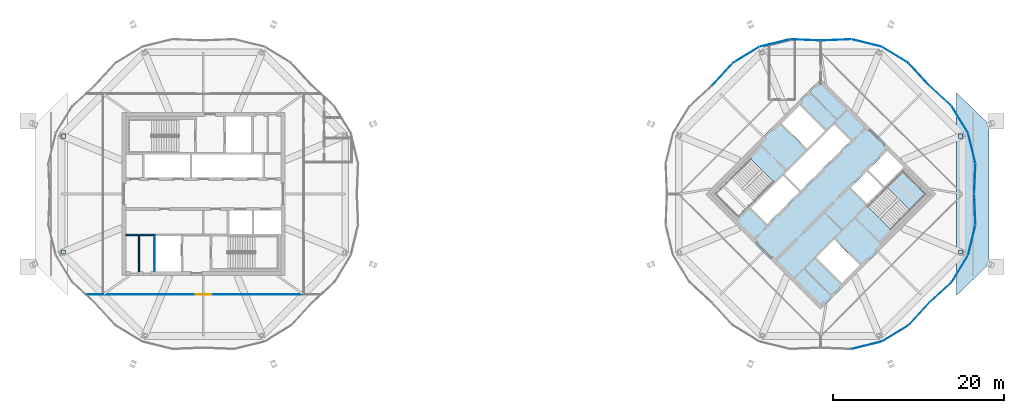
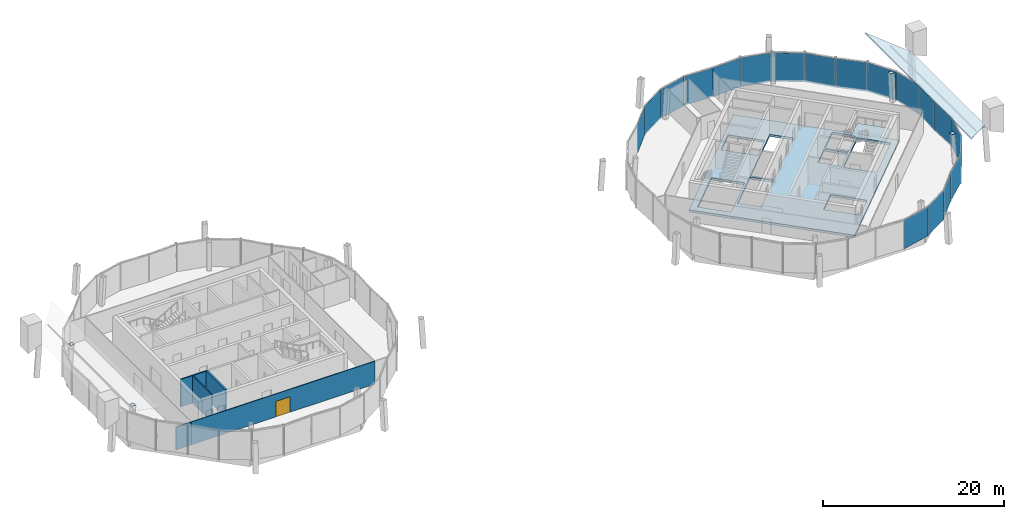
# One storey, part 15 of 22: 24 plates, 5 walls, 2 slabs, 1 door, 1 opening, 7 elements without a shape of their own.
"""IFC4 building model written with IfcOpenShell, lengths in metres."""

import ifcopenshell
import ifcopenshell.guid

model = None  # the IFC model being written
_history = None  # IfcOwnerHistory: only IFC2X3 demands one
_inside = {}  # id of a spatial element -> (the spatial element, [elements in it])
_under = {}  # id of a project, library or spatial element -> (it, [spatial elements below it])
_declared = {}  # id of a project -> (the project, [libraries it declares])
_typed = {}  # id of a type object -> (the type object, [elements of that type])
_made_of = {}  # id of a material, layer set ... -> (it, [elements and type objects made of it])


def new_model(schema):
    """Start an empty IFC model of exactly this schema.

    Asked for "IFC4X3", IfcOpenShell would pick the latest addendum, in which some entities
    have other attributes; the version numbers below select the first issue.
    IFC2X3 requires an IfcOwnerHistory on every rooted entity: one is made here for all.
    """
    global model, _history
    if schema == "IFC4X3":
        model = ifcopenshell.file(schema_version=(4, 3, 0, 0))
    else:
        model = ifcopenshell.file(schema=schema)
    _inside.clear()
    _under.clear()
    _declared.clear()
    _typed.clear()
    _made_of.clear()
    _history = None
    if model.schema == "IFC2X3":
        org = make("IfcOrganization", Name="unknown")
        user = make(
            "IfcPersonAndOrganization",
            ThePerson=make("IfcPerson", FamilyName="unknown"),
            TheOrganization=org,
        )
        app = make(
            "IfcApplication",
            ApplicationDeveloper=org,
            Version="unknown",
            ApplicationFullName="unknown",
            ApplicationIdentifier="unknown",
        )
        _history = make(
            "IfcOwnerHistory",
            OwningUser=user,
            OwningApplication=app,
            ChangeAction="ADDED",
            CreationDate=0,
        )
    return model


def make(cls, **values):
    """One entity of the class cls with the attributes given. An attribute that is None is left unset."""
    return model.create_entity(
        cls, **{name: value for name, value in values.items() if value is not None}
    )


def rooted(cls, **values):
    """An entity with a GlobalId (a new one), such as an element, a storey or a relation."""
    return make(cls, GlobalId=ifcopenshell.guid.new(), OwnerHistory=_history, **values)


def si_unit(unit_type, name, prefix=None):
    """IfcSIUnit, for example si_unit("LENGTHUNIT", "METRE", prefix="MILLI")."""
    return make("IfcSIUnit", UnitType=unit_type, Prefix=prefix, Name=name)


def assignment(units):
    """IfcUnitAssignment: the units of a project."""
    return None if units is None else make("IfcUnitAssignment", Units=units)


def point(xyz):
    """IfcCartesianPoint."""
    return None if xyz is None else make("IfcCartesianPoint", Coordinates=xyz)


def direction(xyz):
    """IfcDirection."""
    return None if xyz is None else make("IfcDirection", DirectionRatios=xyz)


def frame(location, z_axis=None, x_axis=None):
    """IfcAxis2Placement3D, a coordinate frame: its origin and axes. An axis left out is left unset."""
    return make(
        "IfcAxis2Placement3D",
        Location=point(location),
        Axis=direction(z_axis),
        RefDirection=direction(x_axis),
    )


def frame_2d(location, x_axis=None):
    """IfcAxis2Placement2D, a coordinate frame in the plane: its origin and x axis."""
    return make(
        "IfcAxis2Placement2D", Location=point(location), RefDirection=direction(x_axis)
    )


def origin():
    """The frame at (0, 0, 0) with its axes left unset."""
    return frame((0.0, 0.0, 0.0))


def origin_2d():
    """The frame at (0, 0) in the plane with its x axis left unset."""
    return frame_2d((0.0, 0.0))


def place(relative_to, where):
    """IfcLocalPlacement: puts the frame where relative to a parent placement (None: the world)."""
    return make(
        "IfcLocalPlacement", PlacementRelTo=relative_to, RelativePlacement=where
    )


def context(
    kind, dimensions, precision=None, world=None, true_north=None, identifier=None
):
    """IfcGeometricRepresentationContext, for example the 3D "Model" context."""
    return make(
        "IfcGeometricRepresentationContext",
        ContextIdentifier=identifier,
        ContextType=kind,
        CoordinateSpaceDimension=dimensions,
        Precision=precision,
        WorldCoordinateSystem=world,
        TrueNorth=true_north,
    )


def subcontext(parent, identifier, kind, view, scale=None):
    """IfcGeometricRepresentationSubContext, for example "Body" below "Model"."""
    return make(
        "IfcGeometricRepresentationSubContext",
        ContextIdentifier=identifier,
        ContextType=kind,
        ParentContext=parent,
        TargetScale=scale,
        TargetView=view,
    )


def project(units=None, contexts=None):
    """IfcProject with its units and contexts."""
    return rooted(
        "IfcProject",
        Name="project",
        RepresentationContexts=contexts,
        UnitsInContext=assignment(units),
    )


def spatial(cls, under=None, at=None, **own):
    """A site, building, storey or space (cls), placed at a placement, below another one or the project."""
    s = rooted(cls, ObjectPlacement=at, **own)
    if under is not None:
        _under.setdefault(under.id(), (under, []))[1].append(s)
    return s


def polyline(points):
    """IfcPolyline through the points."""
    return make("IfcPolyline", Points=[point(p) for p in points])


def profile(cls, at=None, kind="AREA", **sizes):
    """A parametric profile (cls). Its sizes go by their IFC names, for example OverallWidth=200.0."""
    return make(cls, ProfileType=kind, Position=at, **sizes)


def rectangle(**sizes):
    """IfcRectangleProfileDef."""
    return profile("IfcRectangleProfileDef", **sizes)


def outline(outer, holes=None, kind="AREA"):
    """IfcArbitraryClosedProfileDef: a profile drawn as a closed curve; with holes, ...WithVoids."""
    if holes is None:
        return make("IfcArbitraryClosedProfileDef", ProfileType=kind, OuterCurve=outer)
    return make(
        "IfcArbitraryProfileDefWithVoids",
        ProfileType=kind,
        OuterCurve=outer,
        InnerCurves=holes,
    )


def extrude(swept, where, along, depth):
    """IfcExtrudedAreaSolid: the profile swept, set in the frame where, extruded along a direction by depth."""
    return make(
        "IfcExtrudedAreaSolid",
        SweptArea=swept,
        Position=where,
        ExtrudedDirection=direction(along),
        Depth=depth,
    )


def shape(context_of_items, identifier, shape_type, items):
    """IfcShapeRepresentation: the items that make up one representation, for example the "Body"."""
    return make(
        "IfcShapeRepresentation",
        ContextOfItems=context_of_items,
        RepresentationIdentifier=identifier,
        RepresentationType=shape_type,
        Items=items,
    )


def material(Name=None, Category=None):
    """IfcMaterial."""
    return make("IfcMaterial", Name=Name, Category=Category)


def layer(
    of_material, thickness, ventilated=None, Name=None, Category=None, Priority=None
):
    """IfcMaterialLayer: one layer of a wall or slab, of a material (None: an air gap)."""
    return make(
        "IfcMaterialLayer",
        Material=of_material,
        LayerThickness=thickness,
        IsVentilated=ventilated,
        Name=Name,
        Category=Category,
        Priority=Priority,
    )


def layer_set(layers, Name=None):
    """IfcMaterialLayerSet."""
    return make("IfcMaterialLayerSet", MaterialLayers=layers, LayerSetName=Name)


def made_of(thing, what):
    """Note that an element or type object is made of a material, layer set ...; save() writes the relation."""
    if what is not None:
        _made_of.setdefault(what.id(), (what, []))[1].append(thing)
    return thing


def type_object(cls, material=None, **own):
    """A type object (cls), such as IfcWallType, which elements share."""
    return made_of(rooted(cls, **own), material)


def element(
    cls,
    number,
    at=None,
    inside=None,
    cuts=None,
    type_object=None,
    material=None,
    context=None,
    identifier="Body",
    shape_type=None,
    held_by="IfcProductDefinitionShape",
    body=None,
    shapes=None,
    **own,
):
    """One element of the class cls, such as IfcWall. Its Tag is "e" and its number.

    at: its placement. inside: the storey or other place that contains it. cuts: it is an
    opening in that element (IfcRelVoidsElement). A single representation is given by context,
    identifier, shape_type and body (its items); several are given by shapes. held_by: the class
    of the entity that holds the representations. save() writes the other relations.
    """
    e = rooted(cls, Tag="e%d" % number, ObjectPlacement=at, **own)
    if body is not None:
        shapes = [shape(context, identifier, shape_type, body)]
    if shapes is not None:
        e.Representation = make(held_by, Representations=shapes)
    if inside is not None:
        _inside.setdefault(inside.id(), (inside, []))[1].append(e)
    if cuts is not None:
        rooted(
            "IfcRelVoidsElement", RelatingBuildingElement=cuts, RelatedOpeningElement=e
        )
    if type_object is not None:
        _typed.setdefault(type_object.id(), (type_object, []))[1].append(e)
    return made_of(e, material)


def fill(opening, filler):
    """IfcRelFillsElement: the door or window that sits in an opening."""
    return rooted(
        "IfcRelFillsElement",
        RelatingOpeningElement=opening,
        RelatedBuildingElement=filler,
    )


def aggregate(whole, parts):
    """IfcRelAggregates: a whole, such as a stair, and the parts it consists of."""
    return rooted("IfcRelAggregates", RelatingObject=whole, RelatedObjects=parts)


def save(model, path):
    """Write the relations noted so far, then the file.

    IfcRelAggregates (storeys below a building ...), IfcRelContainedInSpatialStructure (elements
    in a storey), IfcRelDefinesByType, IfcRelAssociatesMaterial and IfcRelDeclares: one each for
    every whole, place, type object, material and project.
    """
    for whole, parts in _under.values():
        aggregate(whole, parts)
    for where, things in _inside.values():
        rooted(
            "IfcRelContainedInSpatialStructure",
            RelatedElements=things,
            RelatingStructure=where,
        )
    for kind, things in _typed.values():
        rooted("IfcRelDefinesByType", RelatedObjects=things, RelatingType=kind)
    for what, things in _made_of.values():
        rooted("IfcRelAssociatesMaterial", RelatedObjects=things, RelatingMaterial=what)
    for by, libraries in _declared.values():
        rooted("IfcRelDeclares", RelatingContext=by, RelatedDefinitions=libraries)
    model.write(path)


model = new_model("IFC4")

# Units and contexts
model_context = context("Model", 3, precision=1e-05, world=origin(), true_north=direction((0.0, 1.0)))
body_context = subcontext(model_context, "Body", "Model", "MODEL_VIEW")
ifc_project = project(units=[si_unit("LENGTHUNIT", "METRE"), si_unit("AREAUNIT", "SQUARE_METRE"), si_unit("VOLUMEUNIT", "CUBIC_METRE"), si_unit("PLANEANGLEUNIT", "RADIAN"), si_unit("MASSUNIT", "GRAM", prefix="KILO")], contexts=[model_context])

# Site, building, storey
site_placement = place(None, origin())
site = spatial("IfcSite", under=ifc_project, at=site_placement, CompositionType="ELEMENT")
building_placement = place(site_placement, origin())
building = spatial("IfcBuilding", under=site, at=building_placement, Name="Ogive Gate Towers", CompositionType="ELEMENT")
storey_placement = place(building_placement, frame((0.0, 0.0, 298.0)))
storey = spatial("IfcBuildingStorey", under=building, at=storey_placement, Name="L70", CompositionType="ELEMENT", Elevation=298.0)

# Slab
ifc_material_1 = material(Name="Concrete C40/50", Category="concrete")
ifc_layer_1 = layer(ifc_material_1, 0.300048828125)
ifc_layer_set_1 = layer_set([ifc_layer_1], Name="Core slab C40/50 300 mm")
slab_type_1 = type_object("IfcSlabType", Name="Core slab C40/50 300 mm", PredefinedType="FLOOR", material=ifc_layer_set_1)
slab_1_placement = place(storey_placement, frame((0.0, 0.0, -0.300048828125)))
element("IfcSlab", 1, at=slab_1_placement, inside=storey, type_object=slab_type_1, Name="T2 L70 core slab", PredefinedType="FLOOR", context=body_context, shape_type="SweptSolid", body=[
    extrude(outline(polyline([(36.0, -13.43505859375), (22.56494140625, 0.0), (36.0, 13.43505859375), (49.43505859375, 0.0), (36.0, -13.43505859375)]), holes=[polyline([(29.777587890625, -3.500244140625), (33.525146484375, 0.24755859375), (31.615966796875, 2.15673828125), (27.868408203125, -1.591064453125), (29.777587890625, -3.500244140625)]), polyline([(31.792724609375, 2.33349609375), (33.701904296875, 0.42431640625), (39.500244140625, 6.222412109375), (37.591064453125, 8.131591796875), (31.792724609375, 2.33349609375)]), polyline([(41.3740234375, 2.651611328125), (39.500244140625, 0.77783203125), (41.409423828125, -1.13134765625), (43.283203125, 0.742431640625), (41.3740234375, 2.651611328125)]), polyline([(45.669677734375, 3.12890625), (43.760498046875, 5.0380859375), (41.55078125, 2.828369140625), (43.4599609375, 0.919189453125), (45.669677734375, 3.12890625)]), polyline([(34.408935546875, 5.30322265625), (36.4951171875, 7.389404296875), (33.542724609375, 10.34130859375), (31.456787109375, 8.255615234375), (34.408935546875, 5.30322265625)]), polyline([(35.5048828125, -7.389404296875), (38.457275390625, -10.34130859375), (40.543212890625, -8.255615234375), (37.591064453125, -5.30322265625), (35.5048828125, -7.389404296875)]), polyline([(26.40087890625, -2.70458984375), (30.512939453125, 1.406982421875), (27.80810546875, 4.11181640625), (23.6962890625, 0.0), (26.40087890625, -2.70458984375)]), polyline([(48.3037109375, 0.0), (45.59912109375, 2.70458984375), (41.487060546875, -1.406982421875), (44.19189453125, -4.11181640625), (48.3037109375, 0.0)])]), origin(), (0.0, 0.0, 1.0), 0.300048828125),
])

# Curtain wall, plates
ifc_material_2 = material(Name="Pale metal aluminium", Category="aluminium")
curtain_wall_type = type_object("IfcCurtainWallType", Name="Crown lean wall", PredefinedType="NOTDEFINED", material=ifc_material_2)
curtain_wall_1_placement = place(storey_placement, origin())
curtain_wall_1 = element("IfcCurtainWall", 2, at=curtain_wall_1_placement, inside=storey, type_object=curtain_wall_type, Name="CW5 T2 ECW01", PredefinedType="NOTDEFINED")
ifc_material_3 = material(Name="Clear glass", Category="glass")
ifc_layer_2 = layer(ifc_material_3, 0.028076171875)
ifc_layer_set_2 = layer_set([ifc_layer_2], Name="Crown lean wall glass panel")
plate_type_1 = type_object("IfcPlateType", Name="Crown lean wall glass panel", PredefinedType="CURTAIN_PANEL", material=ifc_layer_set_2)
plate_1_placement = place(storey_placement, frame((49.981689453125, 11.45166015625, -0.2998046875), z_axis=(0.0, 0.0, 1.0), x_axis=(0.735813493407, -0.677184245918, 0.0)))
plate_1 = element("IfcPlate", 3, at=plate_1_placement, type_object=plate_type_1, Name="CW5 glass panel", PredefinedType="CURTAIN_PANEL", context=body_context, shape_type="SweptSolid", body=[
    extrude(rectangle(XDim=3.537109375, YDim=0.028076171875, at=origin_2d()), origin(), (0.0, 0.0, 1.0), 3.904052734375),
])
plate_2_placement = place(storey_placement, frame((52.248291015625, 8.679443359375, -0.2998046875), z_axis=(0.0, 0.0, 1.0), x_axis=(0.519250650088, -0.854621999707, 0.0)))
plate_2 = element("IfcPlate", 4, at=plate_2_placement, type_object=plate_type_1, Name="CW5 glass panel", PredefinedType="CURTAIN_PANEL", context=body_context, shape_type="SweptSolid", body=[
    extrude(rectangle(XDim=3.591796875, YDim=0.028076171875, at=origin_2d()), origin(), (0.0, 0.0, 1.0), 3.904052734375),
])
plate_3_placement = place(storey_placement, frame((53.626708984375, 5.35205078125, -0.2998046875), z_axis=(0.0, 0.0, 1.0), x_axis=(0.237160310926, -0.971470528077, 0.0)))
plate_3 = element("IfcPlate", 5, at=plate_3_placement, type_object=plate_type_1, Name="CW5 glass panel", PredefinedType="CURTAIN_PANEL", context=body_context, shape_type="SweptSolid", body=[
    extrude(rectangle(XDim=3.591796875, YDim=0.028076171875, at=origin_2d()), origin(), (0.0, 0.0, 1.0), 3.904052734375),
])
plate_4_placement = place(storey_placement, frame((53.984375, 1.7890625, -0.2998046875), z_axis=(0.0, 0.0, 1.0), x_axis=(-0.041439700181, -0.99914100669, 0.0)))
plate_4 = element("IfcPlate", 6, at=plate_4_placement, type_object=plate_type_1, Name="CW5 glass panel", PredefinedType="CURTAIN_PANEL", context=body_context, shape_type="SweptSolid", body=[
    extrude(rectangle(XDim=3.537109375, YDim=0.028076171875, at=origin_2d()), origin(), (0.0, 0.0, 1.0), 3.904052734375),
])
aggregate(curtain_wall_1, [plate_1, plate_2, plate_3, plate_4])

curtain_wall_2_placement = place(storey_placement, origin())
curtain_wall_2 = element("IfcCurtainWall", 7, at=curtain_wall_2_placement, inside=storey, type_object=curtain_wall_type, Name="CW5 T2 ECW02", PredefinedType="NOTDEFINED")
plate_5_placement = place(storey_placement, frame((37.7890625, 17.984375, -0.2998046875), z_axis=(0.0, 0.0, 1.0), x_axis=(0.99914100669, 0.041439700181, 0.0)))
plate_5 = element("IfcPlate", 8, at=plate_5_placement, type_object=plate_type_1, Name="CW5 glass panel", PredefinedType="CURTAIN_PANEL", context=body_context, shape_type="SweptSolid", body=[
    extrude(rectangle(XDim=3.537109375, YDim=0.028076171875, at=origin_2d()), origin(), (0.0, 0.0, 1.0), 3.904052734375),
])
plate_6_placement = place(storey_placement, frame((41.35205078125, 17.626708984375, -0.2998046875), z_axis=(0.0, 0.0, 1.0), x_axis=(0.971470528077, -0.237160310926, 0.0)))
plate_6 = element("IfcPlate", 9, at=plate_6_placement, type_object=plate_type_1, Name="CW5 glass panel", PredefinedType="CURTAIN_PANEL", context=body_context, shape_type="SweptSolid", body=[
    extrude(rectangle(XDim=3.591796875, YDim=0.028076171875, at=origin_2d()), origin(), (0.0, 0.0, 1.0), 3.904052734375),
])
plate_7_placement = place(storey_placement, frame((44.679443359375, 16.248291015625, -0.2998046875), z_axis=(0.0, 0.0, 1.0), x_axis=(0.854621999707, -0.519250650088, 0.0)))
plate_7 = element("IfcPlate", 10, at=plate_7_placement, type_object=plate_type_1, Name="CW5 glass panel", PredefinedType="CURTAIN_PANEL", context=body_context, shape_type="SweptSolid", body=[
    extrude(rectangle(XDim=3.591796875, YDim=0.028076171875, at=origin_2d()), origin(), (0.0, 0.0, 1.0), 3.904052734375),
])
plate_8_placement = place(storey_placement, frame((47.45166015625, 13.981689453125, -0.2998046875), z_axis=(0.0, 0.0, 1.0), x_axis=(0.677184245918, -0.735813493407, 0.0)))
plate_8 = element("IfcPlate", 11, at=plate_8_placement, type_object=plate_type_1, Name="CW5 glass panel", PredefinedType="CURTAIN_PANEL", context=body_context, shape_type="SweptSolid", body=[
    extrude(rectangle(XDim=3.537109375, YDim=0.028076171875, at=origin_2d()), origin(), (0.0, 0.0, 1.0), 3.904052734375),
])
aggregate(curtain_wall_2, [plate_5, plate_6, plate_7, plate_8])

curtain_wall_3_placement = place(storey_placement, origin())
curtain_wall_3 = element("IfcCurtainWall", 12, at=curtain_wall_3_placement, inside=storey, type_object=curtain_wall_type, Name="CW5 T2 ECW03", PredefinedType="NOTDEFINED")
plate_9_placement = place(storey_placement, frame((24.54833984375, 13.981689453125, -0.2998046875), z_axis=(0.0, 0.0, 1.0), x_axis=(0.677184245918, 0.735813493407, 0.0)))
plate_9 = element("IfcPlate", 13, at=plate_9_placement, type_object=plate_type_1, Name="CW5 glass panel", PredefinedType="CURTAIN_PANEL", context=body_context, shape_type="SweptSolid", body=[
    extrude(rectangle(XDim=3.537109375, YDim=0.028076171875, at=origin_2d()), origin(), (0.0, 0.0, 1.0), 3.904052734375),
])
plate_10_placement = place(storey_placement, frame((27.320556640625, 16.248291015625, -0.2998046875), z_axis=(0.0, 0.0, 1.0), x_axis=(0.854621999707, 0.519250650088, 0.0)))
plate_10 = element("IfcPlate", 14, at=plate_10_placement, type_object=plate_type_1, Name="CW5 glass panel", PredefinedType="CURTAIN_PANEL", context=body_context, shape_type="SweptSolid", body=[
    extrude(rectangle(XDim=3.591796875, YDim=0.028076171875, at=origin_2d()), origin(), (0.0, 0.0, 1.0), 3.904052734375),
])
plate_11_placement = place(storey_placement, frame((30.64794921875, 17.626708984375, -0.2998046875), z_axis=(0.0, 0.0, 1.0), x_axis=(0.971470528077, 0.237160310926, 0.0)))
plate_11 = element("IfcPlate", 15, at=plate_11_placement, type_object=plate_type_1, Name="CW5 glass panel", PredefinedType="CURTAIN_PANEL", context=body_context, shape_type="SweptSolid", body=[
    extrude(rectangle(XDim=3.591796875, YDim=0.028076171875, at=origin_2d()), origin(), (0.0, 0.0, 1.0), 3.904052734375),
])
plate_12_placement = place(storey_placement, frame((34.2109375, 17.984375, -0.2998046875), z_axis=(0.0, 0.0, 1.0), x_axis=(0.99914100669, -0.041439700181, 0.0)))
plate_12 = element("IfcPlate", 16, at=plate_12_placement, type_object=plate_type_1, Name="CW5 glass panel", PredefinedType="CURTAIN_PANEL", context=body_context, shape_type="SweptSolid", body=[
    extrude(rectangle(XDim=3.537109375, YDim=0.028076171875, at=origin_2d()), origin(), (0.0, 0.0, 1.0), 3.904052734375),
])
aggregate(curtain_wall_3, [plate_9, plate_10, plate_11, plate_12])

curtain_wall_4_placement = place(storey_placement, origin())
curtain_wall_4 = element("IfcCurtainWall", 17, at=curtain_wall_4_placement, inside=storey, type_object=curtain_wall_type, Name="CW5 T2 ECW07", PredefinedType="NOTDEFINED")
plate_13_placement = place(storey_placement, frame((47.45166015625, -13.981689453125, -0.2998046875), z_axis=(0.0, 0.0, 1.0), x_axis=(-0.677184245918, -0.735813493407, 0.0)))
plate_13 = element("IfcPlate", 18, at=plate_13_placement, type_object=plate_type_1, Name="CW5 glass panel", PredefinedType="CURTAIN_PANEL", context=body_context, shape_type="SweptSolid", body=[
    extrude(rectangle(XDim=3.537109375, YDim=0.028076171875, at=origin_2d()), origin(), (0.0, 0.0, 1.0), 3.904052734375),
])
plate_14_placement = place(storey_placement, frame((44.679443359375, -16.248291015625, -0.2998046875), z_axis=(0.0, 0.0, 1.0), x_axis=(-0.854621999707, -0.519250650088, 0.0)))
plate_14 = element("IfcPlate", 19, at=plate_14_placement, type_object=plate_type_1, Name="CW5 glass panel", PredefinedType="CURTAIN_PANEL", context=body_context, shape_type="SweptSolid", body=[
    extrude(rectangle(XDim=3.591796875, YDim=0.028076171875, at=origin_2d()), origin(), (0.0, 0.0, 1.0), 3.904052734375),
])
plate_15_placement = place(storey_placement, frame((41.35205078125, -17.626708984375, -0.2998046875), z_axis=(0.0, 0.0, 1.0), x_axis=(-0.971470528077, -0.237160310926, 0.0)))
plate_15 = element("IfcPlate", 20, at=plate_15_placement, type_object=plate_type_1, Name="CW5 glass panel", PredefinedType="CURTAIN_PANEL", context=body_context, shape_type="SweptSolid", body=[
    extrude(rectangle(XDim=3.591796875, YDim=0.028076171875, at=origin_2d()), origin(), (0.0, 0.0, 1.0), 3.904052734375),
])
aggregate(curtain_wall_4, [plate_13, plate_14, plate_15])

curtain_wall_5_placement = place(storey_placement, origin())
curtain_wall_5 = element("IfcCurtainWall", 21, at=curtain_wall_5_placement, inside=storey, type_object=curtain_wall_type, Name="CW5 T2 ECW08", PredefinedType="NOTDEFINED")
plate_16_placement = place(storey_placement, frame((53.627197265625, -5.35009765625, -0.2998046875), z_axis=(0.0, 0.0, 1.0), x_axis=(-0.237160310926, -0.971470528077, 0.0)))
plate_16 = element("IfcPlate", 22, at=plate_16_placement, type_object=plate_type_1, Name="CW5 glass panel", PredefinedType="CURTAIN_PANEL", context=body_context, shape_type="SweptSolid", body=[
    extrude(rectangle(XDim=3.595947265625, YDim=0.028076171875, at=origin_2d()), origin(), (0.0, 0.0, 1.0), 3.904052734375),
])
plate_17_placement = place(storey_placement, frame((52.248291015625, -8.679443359375, -0.2998046875), z_axis=(0.0, 0.0, 1.0), x_axis=(-0.519250650088, -0.854621999707, 0.0)))
plate_17 = element("IfcPlate", 23, at=plate_17_placement, type_object=plate_type_1, Name="CW5 glass panel", PredefinedType="CURTAIN_PANEL", context=body_context, shape_type="SweptSolid", body=[
    extrude(rectangle(XDim=3.591796875, YDim=0.028076171875, at=origin_2d()), origin(), (0.0, 0.0, 1.0), 3.904052734375),
])
plate_18_placement = place(storey_placement, frame((49.981689453125, -11.45166015625, -0.2998046875), z_axis=(0.0, 0.0, 1.0), x_axis=(-0.735813493407, -0.677184245918, 0.0)))
plate_18 = element("IfcPlate", 24, at=plate_18_placement, type_object=plate_type_1, Name="CW5 glass panel", PredefinedType="CURTAIN_PANEL", context=body_context, shape_type="SweptSolid", body=[
    extrude(rectangle(XDim=3.537109375, YDim=0.028076171875, at=origin_2d()), origin(), (0.0, 0.0, 1.0), 3.904052734375),
])
aggregate(curtain_wall_5, [plate_16, plate_17, plate_18])

# Curtain wall, plate
curtain_wall_6_placement = place(storey_placement, origin())
curtain_wall_6 = element("IfcCurtainWall", 25, at=curtain_wall_6_placement, inside=storey, type_object=curtain_wall_type, Name="CW5 T2 ECW08b", PredefinedType="NOTDEFINED")
plate_19_placement = place(storey_placement, frame((53.984375, -1.791015625, -0.2998046875), z_axis=(0.0, 0.0, 1.0), x_axis=(0.041439700181, -0.99914100669, 0.0)))
plate_19 = element("IfcPlate", 26, at=plate_19_placement, type_object=plate_type_1, Name="CW5 glass panel", PredefinedType="CURTAIN_PANEL", context=body_context, shape_type="SweptSolid", body=[
    extrude(rectangle(XDim=3.541259765625, YDim=0.028076171875, at=origin_2d()), origin(), (0.0, 0.0, 1.0), 3.904052734375),
])
aggregate(curtain_wall_6, [plate_19])

# Plates
ifc_layer_3 = layer(ifc_material_3, 0.1201171875)
ifc_layer_set_3 = layer_set([ifc_layer_3], Name="Glazed crown roof")
plate_type_2 = type_object("IfcPlateType", Name="Glazed crown roof", PredefinedType="SHEET", material=ifc_layer_set_3)
plate_20_placement = place(storey_placement, frame((51.87060546875, 11.787841796875, 6.531005859375), z_axis=(0.408362184303, 0.0, 0.912819985775), x_axis=(0.685205370994, -0.660703739577, -0.306535753331)))
element("IfcPlate", 27, at=plate_20_placement, inside=storey, type_object=plate_type_2, Name="Glazed crown roof", PredefinedType="SHEET", context=body_context, shape_type="SweptSolid", body=[
    extrude(outline(polyline([(0.0, 0.0), (5.5202000206750625, -3.885780586188048e-16), (16.27728278066886, -12.221467671975587), (15.576542313483095, -17.69701066476719), (0.0, 0.0)])), origin(), (0.0, 0.0, -1.0), 0.1201171875),
])
ifc_material_4 = material(Name="Steel SM460", Category="steel")
ifc_layer_4 = layer(ifc_material_4, 0.030029296875)
ifc_layer_set_4 = layer_set([ifc_layer_4], Name="Hollow section end plate 30")
plate_type_3 = type_object("IfcPlateType", Name="Hollow section end plate 30", PredefinedType="SHEET", material=ifc_layer_set_4)
for number, where, z_axis, x_axis, name in (
    (28, (-52.5703125, 6.510009765625, 4.030029296875), (0.0, 0.0, 1.0), (1.0, 0.0, 0.0), "End plate"),
    (29, (-52.5703125, -7.010009765625, 4.030029296875), (0.0, 0.0, 1.0), (1.0, 0.0, 0.0), "End plate"),
    (30, (52.0703125, 6.510009765625, 4.030029296875), (0.0, 0.0, 1.0), (1.0, 0.0, 0.0), "End plate"),
    (31, (52.0703125, -7.010009765625, 4.030029296875), (0.0, 0.0, 1.0), (1.0, 0.0, 0.0), "End plate"),
):
    element("IfcPlate", number, at=place(storey_placement, frame(where, z_axis=z_axis, x_axis=x_axis)), inside=storey, type_object=plate_type_3, Name=name, PredefinedType="SHEET", context=body_context, shape_type="SweptSolid", body=[
        extrude(outline(polyline([(0.0, 0.0), (0.5, 0.0), (0.5, 0.5), (0.0, 0.5), (0.0, 0.0)])), origin(), (0.0, 0.0, -1.0), 0.030029296875),
    ])

# Stair, slab
stair_type = type_object("IfcStairType", Name="Escape stair 1840 wide", PredefinedType="HALF_TURN_STAIR", material=ifc_material_1)
stair_placement = place(storey_placement, origin())
stair = element("IfcStair", 32, at=stair_placement, inside=storey, type_object=stair_type, Name="L70 Escape stair 2", PredefinedType="HALF_TURN_STAIR")
ifc_layer_5 = layer(ifc_material_1, 0.199951171875)
ifc_layer_set_5 = layer_set([ifc_layer_5], Name="Stair landing 200 mm")
slab_type_2 = type_object("IfcSlabType", Name="Stair landing 200 mm", PredefinedType="LANDING", material=ifc_layer_set_5)
slab_2_placement = place(storey_placement, frame((0.0, 0.0, 1.800048828125)))
slab_2 = element("IfcSlab", 33, at=slab_2_placement, type_object=slab_type_2, Name="ST2 landing 1", PredefinedType="LANDING", context=body_context, shape_type="SweptSolid", body=[
    extrude(outline(polyline([(46.413818359375, -1.8896484375), (48.3037109375, 0.0), (45.598876953125, 2.70458984375), (43.709228515625, 0.81494140625), (46.413818359375, -1.8896484375)])), origin(), (0.0, 0.0, 1.0), 0.199951171875),
])
aggregate(stair, [slab_2])

# Wall
ifc_material_5 = material(Name="Gypsum board partition")
ifc_layer_6 = layer(ifc_material_5, 0.10009765625)
ifc_layer_set_6 = layer_set([ifc_layer_6], Name="Partition wall 100")
wall_type_1 = type_object("IfcWallType", Name="Partition wall 100", PredefinedType="PARTITIONING", material=ifc_layer_set_6)
wall_1_placement = place(storey_placement, frame((-49.66796875, -11.699951171875, 0.0), z_axis=(0.0, 0.0, 1.0), x_axis=(1.0, 0.0, 0.0)))
element("IfcWall", 34, at=wall_1_placement, inside=storey, type_object=wall_type_1, Name="L70 partition 013", PredefinedType="PARTITIONING", context=body_context, shape_type="SweptSolid", body=[
    extrude(rectangle(XDim=1.968017578125, YDim=0.10009765625, at=frame_2d((0.98388671875, 0.0))), origin(), (0.0, 0.0, 1.0), 3.10009765625),
])

# Wall, opening, door
wall_2_placement = place(storey_placement, frame((-47.699951171875, -11.699951171875, 0.0), z_axis=(0.0, 0.0, 1.0), x_axis=(1.0, 0.0, 0.0)))
wall_2 = element("IfcWall", 35, at=wall_2_placement, inside=storey, type_object=wall_type_1, Name="L70 partition 015", PredefinedType="PARTITIONING", context=body_context, shape_type="SweptSolid", body=[
    extrude(rectangle(XDim=23.39990234375, YDim=0.10009765625, at=frame_2d((11.699951171875, 0.0))), origin(), (0.0, 0.0, 1.0), 3.10009765625),
])
opening_placement = place(wall_2_placement, frame((10.800048828125, 0.0, 0.0)))
opening = element("IfcOpeningElement", 36, at=opening_placement, cuts=wall_2, Name="Opening PO310", PredefinedType="OPENING", context=body_context, shape_type="SweptSolid", body=[
    extrude(rectangle(XDim=1.800048828125, YDim=2.10009765625, at=frame_2d((0.89990234375, 1.050048828125))), frame((0.0, 0.06005859375, 0.0), z_axis=(0.0, -1.0, 0.0), x_axis=(1.0, 0.0, 0.0)), (0.0, 0.0, 1.0), 0.1201171875),
])
ifc_material_6 = material(Name="Timber door", Category="wood")
door_type = type_object("IfcDoorType", Name="Double door 1800 x 2100", OperationType="NOTDEFINED", PredefinedType="DOOR", material=ifc_material_6)
door_placement = place(opening_placement, origin())
door = element("IfcDoor", 37, at=door_placement, inside=storey, type_object=door_type, Name="Door PO310", OperationType="DOUBLE_DOOR_DOUBLE_SWING", OverallHeight=2.10009765625, OverallWidth=1.800048828125, PredefinedType="DOOR", context=body_context, shape_type="SweptSolid", body=[
    extrude(rectangle(XDim=1.800048828125, YDim=2.10009765625, at=frame_2d((0.89990234375, 1.050048828125))), frame((0.0, 0.02490234375, 0.0), z_axis=(0.0, -1.0, 0.0), x_axis=(1.0, 0.0, 0.0)), (0.0, 0.0, 1.0), 0.050048828125),
])
fill(opening, door)

# Walls
ifc_layer_7 = layer(ifc_material_5, 0.14990234375)
ifc_layer_set_7 = layer_set([ifc_layer_7], Name="Room partition 150 mm")
wall_type_2 = type_object("IfcWallType", Name="Room partition 150 mm", PredefinedType="PARTITIONING", material=ifc_layer_set_7)
wall_3_placement = place(storey_placement, frame((-45.050048828125, -4.75, 0.0), z_axis=(0.0, 0.0, 1.0), x_axis=(1.0, 0.0, 0.0)))
element("IfcWall", 38, at=wall_3_placement, inside=storey, type_object=wall_type_2, Name="T1 L70 Room partition 150 mm", PredefinedType="PARTITIONING", context=body_context, shape_type="SweptSolid", body=[
    extrude(rectangle(XDim=3.22509765625, YDim=0.14990234375, at=frame_2d((1.612548828125, 0.0))), origin(), (0.0, 0.0, 1.0), 3.699951171875),
])
wall_4_placement = place(storey_placement, frame((-43.5, -9.050048828125, 0.0), z_axis=(0.0, 0.0, 1.0), x_axis=(0.0, 1.0, 0.0)))
element("IfcWall", 39, at=wall_4_placement, inside=storey, type_object=wall_type_2, Name="T1 L70 Room partition 150 mm", PredefinedType="PARTITIONING", context=body_context, shape_type="SweptSolid", body=[
    extrude(rectangle(XDim=4.22509765625, YDim=0.14990234375, at=frame_2d((2.112548828125, 0.0))), origin(), (0.0, 0.0, 1.0), 3.699951171875),
])
ifc_material_7 = material(Name="Concrete C60/75", Category="concrete")
ifc_layer_8 = layer(ifc_material_7, 0.25)
ifc_layer_set_8 = layer_set([ifc_layer_8], Name="Shaft wall 250 mm")
wall_type_3 = type_object("IfcWallType", Name="Shaft wall 250 mm", PredefinedType="SHEAR", material=ifc_layer_set_8)
wall_5_placement = place(storey_placement, frame((-41.699951171875, -9.050048828125, 0.0), z_axis=(0.0, 0.0, 1.0), x_axis=(0.0, 1.0, 0.0)))
element("IfcWall", 40, at=wall_5_placement, inside=storey, type_object=wall_type_3, Name="T1 L70 Shaft wall 250 mm", PredefinedType="SHEAR", context=body_context, shape_type="SweptSolid", body=[
    extrude(rectangle(XDim=4.375, YDim=0.25, at=frame_2d((2.1875, 0.0))), origin(), (0.0, 0.0, 1.0), 3.699951171875),
])

save(model, "model.ifc")
